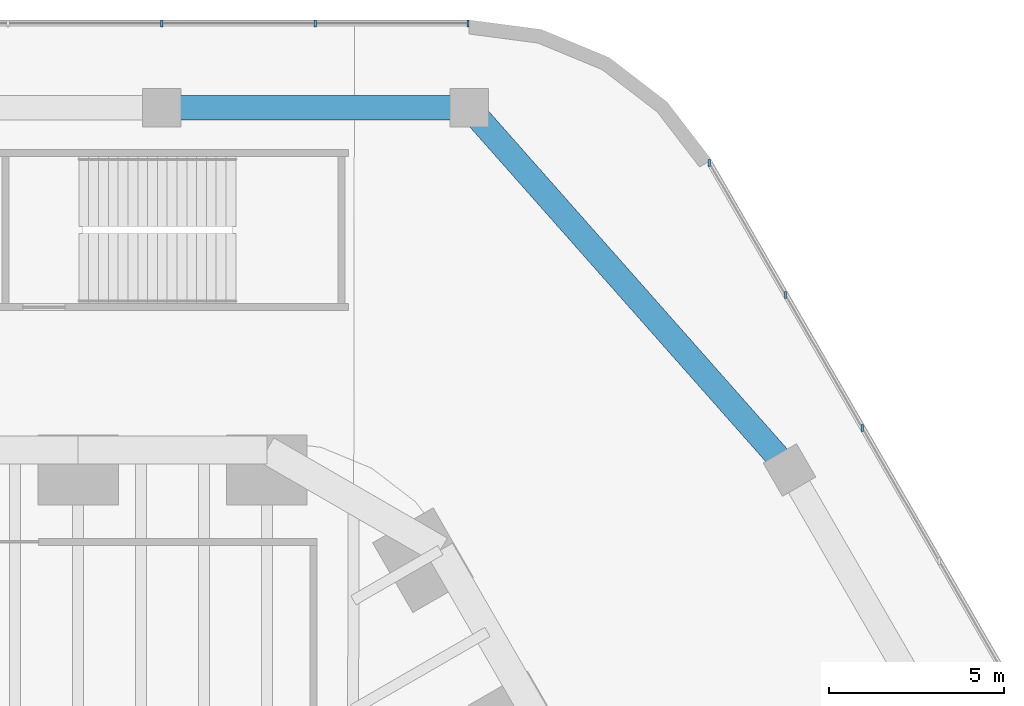
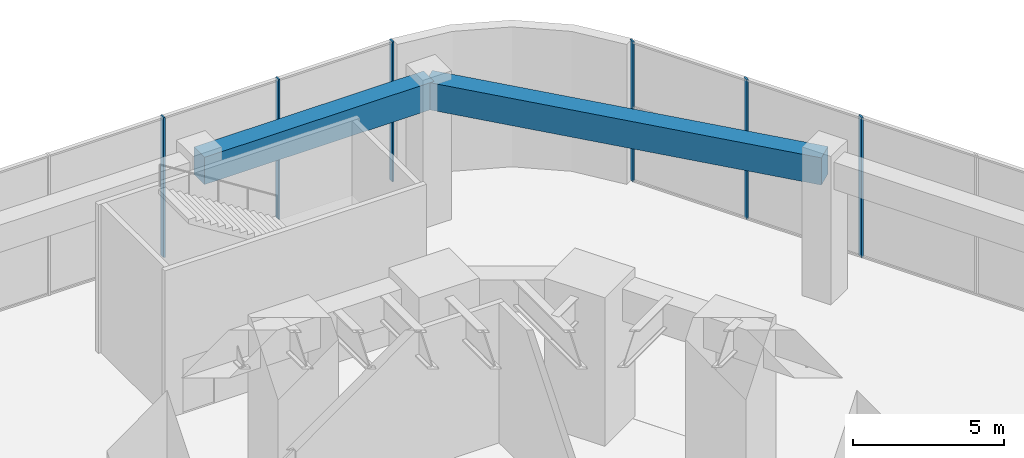
# One storey, part 22 of 31: 6 members, 2 beams, 2 elements without a shape of their own.
"""IFC4 building model written with IfcOpenShell, lengths in metres."""

from ifc_helpers import new_model, si_unit, direction, frame, origin, origin_2d, place, context, subcontext, project, spatial, rectangle, extrude, material, material_profile, profile_set, type_object, element, aggregate, save


model = new_model("IFC4")

# Units and contexts
model_context = context("Model", 3, precision=1e-05, world=origin(), true_north=direction((0.0, 1.0)))
body_context = subcontext(model_context, "Body", "Model", "MODEL_VIEW")
ifc_project = project(units=[si_unit("LENGTHUNIT", "METRE"), si_unit("AREAUNIT", "SQUARE_METRE"), si_unit("VOLUMEUNIT", "CUBIC_METRE"), si_unit("PLANEANGLEUNIT", "RADIAN"), si_unit("MASSUNIT", "GRAM", prefix="KILO")], contexts=[model_context])

# Site, building, storey
site_placement = place(None, origin())
site = spatial("IfcSite", under=ifc_project, at=site_placement, CompositionType="ELEMENT")
building_placement = place(site_placement, origin())
building = spatial("IfcBuilding", under=site, at=building_placement, Name="Tarfa Lantern Tower", CompositionType="ELEMENT")
storey_placement = place(building_placement, frame((0.0, 0.0, 7.0)))
storey = spatial("IfcBuildingStorey", under=building, at=storey_placement, Name="L01", CompositionType="ELEMENT", Elevation=7.0)

# Curtain wall, members
ifc_material_1 = material(Name="Aluminium framed curtain wall", Category="aluminium")
curtain_wall_type = type_object("IfcCurtainWallType", Name="CW7 PODIUM GLAZING 5650", PredefinedType="USERDEFINED", material=ifc_material_1)
curtain_wall_1_placement = place(storey_placement, origin())
curtain_wall_1 = element("IfcCurtainWall", 1, at=curtain_wall_1_placement, inside=storey, type_object=curtain_wall_type, Name="CW7 NE L01", ObjectType="CURTAIN WALL", PredefinedType="USERDEFINED")
ifc_material_2 = material(Name="Aluminium mullion", Category="aluminium")
ifc_material_profile_1 = material_profile(ifc_material_2, rectangle(XDim=0.06494140625, YDim=0.199951171875, at=origin_2d()), Name="AL MULLION 65x200")
ifc_profile_set_1 = profile_set([ifc_material_profile_1], Name="Aluminium mullion")
member_type = type_object("IfcMemberType", Name="CWM1 MULLION 65x200", PredefinedType="MULLION", material=ifc_profile_set_1)
member_1_placement = place(storey_placement, frame((33.168701171875, 34.35009765625, 0.0), z_axis=(0.0, 0.0, 1.0), x_axis=(1.0, 0.0, 0.0)))
member_1 = element("IfcMember", 2, at=member_1_placement, type_object=member_type, Name="CW7 mullion 9", PredefinedType="MULLION", context=body_context, shape_type="SweptSolid", body=[
    extrude(rectangle(XDim=0.06494140625, YDim=0.199951171875, at=origin_2d()), origin(), (0.0, 0.0, 1.0), 5.64990234375),
])
member_2_placement = place(storey_placement, frame((30.974853515625, 38.14990234375, 0.0), z_axis=(0.0, 0.0, 1.0), x_axis=(1.0, 0.0, 0.0)))
member_2 = element("IfcMember", 3, at=member_2_placement, type_object=member_type, Name="CW7 mullion 10", PredefinedType="MULLION", context=body_context, shape_type="SweptSolid", body=[
    extrude(rectangle(XDim=0.06494140625, YDim=0.199951171875, at=origin_2d()), origin(), (0.0, 0.0, 1.0), 5.64990234375),
])
member_3_placement = place(storey_placement, frame((28.797119140625, 41.921875, 0.0), z_axis=(0.0, 0.0, 1.0), x_axis=(1.0, 0.0, 0.0)))
member_3 = element("IfcMember", 4, at=member_3_placement, type_object=member_type, Name="CW7 mullion 11", PredefinedType="MULLION", context=body_context, shape_type="SweptSolid", body=[
    extrude(rectangle(XDim=0.06494140625, YDim=0.199951171875, at=origin_2d()), origin(), (0.0, 0.0, 1.0), 5.64990234375),
])
aggregate(curtain_wall_1, [member_1, member_2, member_3])

curtain_wall_2_placement = place(storey_placement, origin())
curtain_wall_2 = element("IfcCurtainWall", 5, at=curtain_wall_2_placement, inside=storey, type_object=curtain_wall_type, Name="CW7 N L01", ObjectType="CURTAIN WALL", PredefinedType="USERDEFINED")
member_4_placement = place(storey_placement, frame((21.90673828125, 45.89990234375, 0.0), z_axis=(0.0, 0.0, 1.0), x_axis=(1.0, 0.0, 0.0)))
member_4 = element("IfcMember", 6, at=member_4_placement, type_object=member_type, Name="CW7 mullion 1", PredefinedType="MULLION", context=body_context, shape_type="SweptSolid", body=[
    extrude(rectangle(XDim=0.06494140625, YDim=0.199951171875, at=origin_2d()), origin(), (0.0, 0.0, 1.0), 5.64990234375),
])
member_5_placement = place(storey_placement, frame((17.551513671875, 45.89990234375, 0.0), z_axis=(0.0, 0.0, 1.0), x_axis=(1.0, 0.0, 0.0)))
member_5 = element("IfcMember", 7, at=member_5_placement, type_object=member_type, Name="CW7 mullion 2", PredefinedType="MULLION", context=body_context, shape_type="SweptSolid", body=[
    extrude(rectangle(XDim=0.06494140625, YDim=0.199951171875, at=origin_2d()), origin(), (0.0, 0.0, 1.0), 5.64990234375),
])
member_6_placement = place(storey_placement, frame((13.16357421875, 45.89990234375, 0.0), z_axis=(0.0, 0.0, 1.0), x_axis=(1.0, 0.0, 0.0)))
member_6 = element("IfcMember", 8, at=member_6_placement, type_object=member_type, Name="CW7 mullion 3", PredefinedType="MULLION", context=body_context, shape_type="SweptSolid", body=[
    extrude(rectangle(XDim=0.06494140625, YDim=0.199951171875, at=origin_2d()), origin(), (0.0, 0.0, 1.0), 5.64990234375),
])
aggregate(curtain_wall_2, [member_4, member_5, member_6])

# Beams
ifc_material_3 = material(Name="Concrete C80/95", Category="concrete")
ifc_material_profile_2 = material_profile(ifc_material_3, rectangle(XDim=0.699951171875, YDim=1.10009765625, at=origin_2d()), Name="RC 700x1100")
ifc_profile_set_2 = profile_set([ifc_material_profile_2], Name="Concrete C80/95")
beam_type = type_object("IfcBeamType", Name="PB1 RC 700x1100", PredefinedType="BEAM", material=ifc_profile_set_2)
beam_1_placement = place(storey_placement, frame((31.09033203125, 33.14990234375, 5.10009765625), z_axis=(-0.662381688084, 0.74916653642, 0.0), x_axis=(-0.74916653642, -0.662381688084, 0.0)))
element("IfcBeam", 9, at=beam_1_placement, inside=storey, type_object=beam_type, Name="Podium ring beam NE4", PredefinedType="BEAM", context=body_context, shape_type="SweptSolid", body=[
    extrude(rectangle(XDim=0.699951171875, YDim=1.10009765625, at=origin_2d()), origin(), (0.0, 0.0, 1.0), 13.8154296875),
])
beam_2_placement = place(storey_placement, frame((21.939208984375, 43.5, 5.10009765625), z_axis=(-1.0, 0.0, 0.0), x_axis=(0.0, -1.0, 0.0)))
element("IfcBeam", 10, at=beam_2_placement, inside=storey, type_object=beam_type, Name="Podium ring beam N0", PredefinedType="BEAM", context=body_context, shape_type="SweptSolid", body=[
    extrude(rectangle(XDim=0.699951171875, YDim=1.10009765625, at=origin_2d()), origin(), (0.0, 0.0, 1.0), 8.775634765625),
])

save(model, "model.ifc")
